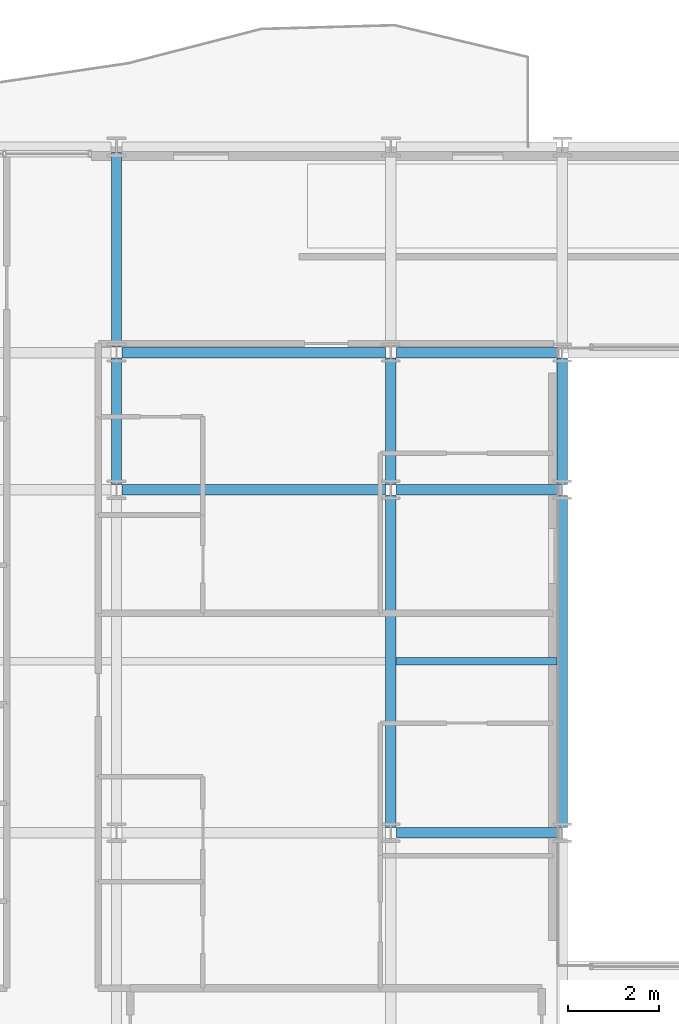
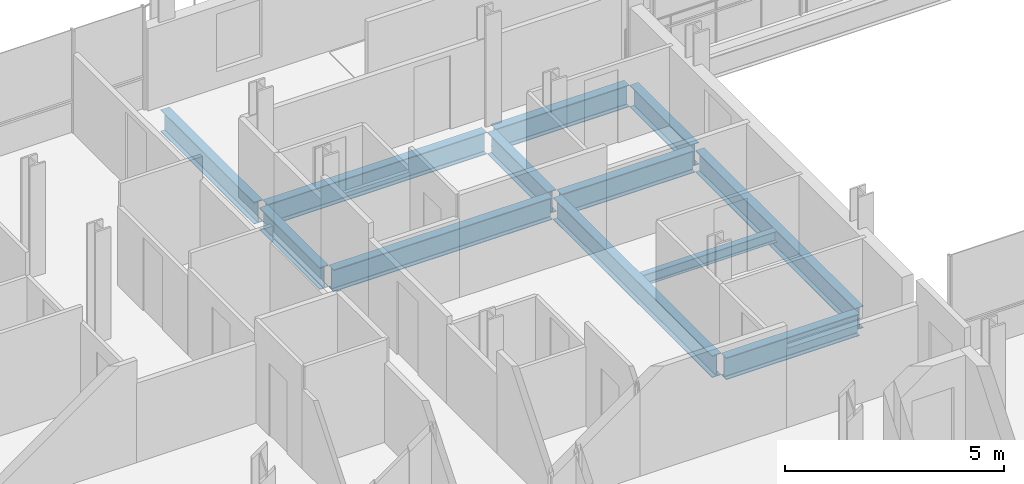
# One storey, part 8 of 40: 12 beams.
"""IFC4 building model written with IfcOpenShell, lengths in metres."""

from ifc_helpers import new_model, si_unit, direction, frame, origin, origin_2d, place, context, subcontext, project, spatial, i_section, extrude, material, material_profile, profile_set, type_object, element, save


model = new_model("IFC4")

# Units and contexts
model_context = context("Model", 3, precision=1e-05, world=origin(), true_north=direction((0.0, 1.0)))
body_context = subcontext(model_context, "Body", "Model", "MODEL_VIEW")
ifc_project = project(units=[si_unit("LENGTHUNIT", "METRE"), si_unit("AREAUNIT", "SQUARE_METRE"), si_unit("VOLUMEUNIT", "CUBIC_METRE"), si_unit("PLANEANGLEUNIT", "RADIAN"), si_unit("MASSUNIT", "GRAM", prefix="KILO")], contexts=[model_context])

# Site, building, storey
site_placement = place(None, origin())
site = spatial("IfcSite", under=ifc_project, at=site_placement, CompositionType="ELEMENT")
building_placement = place(site_placement, origin())
building = spatial("IfcBuilding", under=site, at=building_placement, Name="Brevholm Reach", CompositionType="ELEMENT")
storey_placement = place(building_placement, frame((0.0, 0.0, 131.39990234375)))
storey = spatial("IfcBuildingStorey", under=building, at=storey_placement, Name="L39", CompositionType="ELEMENT", Elevation=131.39990234375)

# Beams
ifc_material_1 = material(Name="Structural Steel S355J2", Category="steel")
ifc_material_profile_1 = material_profile(ifc_material_1, i_section(OverallWidth=0.1650390625, OverallDepth=0.303466796875, WebThickness=0.006103515625, FlangeThickness=0.01025390625, FilletRadius=0.0087890625, at=origin_2d()), Name="UKB 305x165x40")
ifc_profile_set_1 = profile_set([ifc_material_profile_1], Name="Structural Steel S355J2")
beam_type_1 = type_object("IfcBeamType", Name="BM-B305", PredefinedType="BEAM", material=ifc_profile_set_1)
beam_1_placement = place(storey_placement, frame((18.114501953125, 19.75, -0.37158203125), z_axis=(1.0, 0.0, 0.0), x_axis=(0.0, 1.0, 0.0)))
element("IfcBeam", 1, at=beam_1_placement, inside=storey, type_object=beam_type_1, Name="L39 Composite Secondary Floor Beam", PredefinedType="BEAM", context=body_context, shape_type="SweptSolid", body=[
    extrude(i_section(OverallWidth=0.1650390625, OverallDepth=0.303466796875, WebThickness=0.006103515625, FlangeThickness=0.01025390625, FilletRadius=0.0087890625, at=origin_2d()), origin(), (0.0, 0.0, 1.0), 3.52099609375),
])
ifc_material_2 = material(Name="Structural Steel S355J2", Category="steel")
ifc_material_profile_2 = material_profile(ifc_material_2, i_section(OverallWidth=0.22900390625, OverallDepth=0.6123046875, WebThickness=0.011962890625, FlangeThickness=0.01953125, FilletRadius=0.0126953125, at=origin_2d()), Name="UKB 610x229x125")
ifc_profile_set_2 = profile_set([ifc_material_profile_2], Name="Structural Steel S355J2")
beam_type_2 = type_object("IfcBeamType", Name="BM-SP610", PredefinedType="SPANDREL", material=ifc_profile_set_2)
beam_2_placement = place(storey_placement, frame((18.1201171875, 16.0, -0.526123046875), z_axis=(1.0, 0.0, 0.0), x_axis=(0.0, 1.0, 0.0)))
element("IfcBeam", 2, at=beam_2_placement, inside=storey, type_object=beam_type_2, Name="L39 SP-01 Framing Beam", PredefinedType="SPANDREL", context=body_context, shape_type="SweptSolid", body=[
    extrude(i_section(OverallWidth=0.22900390625, OverallDepth=0.6123046875, WebThickness=0.011962890625, FlangeThickness=0.01953125, FilletRadius=0.0126953125, at=origin_2d()), origin(), (0.0, 0.0, 1.0), 3.509765625),
])
beam_3_placement = place(storey_placement, frame((12.1201171875, 23.5, -0.526123046875), z_axis=(1.0, 0.0, 0.0), x_axis=(0.0, 1.0, 0.0)))
element("IfcBeam", 3, at=beam_3_placement, inside=storey, type_object=beam_type_2, Name="L39 SP-01 Framing Beam", PredefinedType="SPANDREL", context=body_context, shape_type="SweptSolid", body=[
    extrude(i_section(OverallWidth=0.22900390625, OverallDepth=0.6123046875, WebThickness=0.011962890625, FlangeThickness=0.01953125, FilletRadius=0.0126953125, at=origin_2d()), origin(), (0.0, 0.0, 1.0), 5.759765625),
])
beam_4_placement = place(storey_placement, frame((18.1201171875, 23.5, -0.526123046875), z_axis=(1.0, 0.0, 0.0), x_axis=(0.0, 1.0, 0.0)))
element("IfcBeam", 4, at=beam_4_placement, inside=storey, type_object=beam_type_2, Name="L39 SP-01 Framing Beam", PredefinedType="SPANDREL", context=body_context, shape_type="SweptSolid", body=[
    extrude(i_section(OverallWidth=0.22900390625, OverallDepth=0.6123046875, WebThickness=0.011962890625, FlangeThickness=0.01953125, FilletRadius=0.0126953125, at=origin_2d()), origin(), (0.0, 0.0, 1.0), 3.509765625),
])
beam_5_placement = place(storey_placement, frame((12.1201171875, 26.5, -0.526123046875), z_axis=(1.0, 0.0, 0.0), x_axis=(0.0, 1.0, 0.0)))
element("IfcBeam", 5, at=beam_5_placement, inside=storey, type_object=beam_type_2, Name="L39 SP-01 Framing Beam", PredefinedType="SPANDREL", context=body_context, shape_type="SweptSolid", body=[
    extrude(i_section(OverallWidth=0.22900390625, OverallDepth=0.6123046875, WebThickness=0.011962890625, FlangeThickness=0.01953125, FilletRadius=0.0126953125, at=origin_2d()), origin(), (0.0, 0.0, 1.0), 5.759765625),
])
beam_6_placement = place(storey_placement, frame((18.1201171875, 26.5, -0.526123046875), z_axis=(1.0, 0.0, 0.0), x_axis=(0.0, 1.0, 0.0)))
element("IfcBeam", 6, at=beam_6_placement, inside=storey, type_object=beam_type_2, Name="L39 SP-01 Framing Beam", PredefinedType="SPANDREL", context=body_context, shape_type="SweptSolid", body=[
    extrude(i_section(OverallWidth=0.22900390625, OverallDepth=0.6123046875, WebThickness=0.011962890625, FlangeThickness=0.01953125, FilletRadius=0.0126953125, at=origin_2d()), origin(), (0.0, 0.0, 1.0), 3.509765625),
])
beam_7_placement = place(storey_placement, frame((12.0, 23.6201171875, -0.526123046875), z_axis=(0.0, 1.0, 0.0), x_axis=(-1.0, 0.0, 0.0)))
element("IfcBeam", 7, at=beam_7_placement, inside=storey, type_object=beam_type_2, Name="L39 SP-01 Framing Beam", PredefinedType="SPANDREL", context=body_context, shape_type="SweptSolid", body=[
    extrude(i_section(OverallWidth=0.22900390625, OverallDepth=0.6123046875, WebThickness=0.011962890625, FlangeThickness=0.01953125, FilletRadius=0.0126953125, at=origin_2d()), origin(), (0.0, 0.0, 1.0), 2.759765625),
])
beam_8_placement = place(storey_placement, frame((12.0, 26.6201171875, -0.526123046875), z_axis=(0.0, 1.0, 0.0), x_axis=(-1.0, 0.0, 0.0)))
element("IfcBeam", 8, at=beam_8_placement, inside=storey, type_object=beam_type_2, Name="L39 SP-01 Framing Beam", PredefinedType="SPANDREL", context=body_context, shape_type="SweptSolid", body=[
    extrude(i_section(OverallWidth=0.22900390625, OverallDepth=0.6123046875, WebThickness=0.011962890625, FlangeThickness=0.01953125, FilletRadius=0.0126953125, at=origin_2d()), origin(), (0.0, 0.0, 1.0), 4.259765625),
])
beam_9_placement = place(storey_placement, frame((18.0, 16.1201171875, -0.526123046875), z_axis=(0.0, 1.0, 0.0), x_axis=(-1.0, 0.0, 0.0)))
element("IfcBeam", 9, at=beam_9_placement, inside=storey, type_object=beam_type_2, Name="L39 SP-01 Framing Beam", PredefinedType="SPANDREL", context=body_context, shape_type="SweptSolid", body=[
    extrude(i_section(OverallWidth=0.22900390625, OverallDepth=0.6123046875, WebThickness=0.011962890625, FlangeThickness=0.01953125, FilletRadius=0.0126953125, at=origin_2d()), origin(), (0.0, 0.0, 1.0), 7.259765625),
])
beam_10_placement = place(storey_placement, frame((18.0, 23.6201171875, -0.526123046875), z_axis=(0.0, 1.0, 0.0), x_axis=(-1.0, 0.0, 0.0)))
element("IfcBeam", 10, at=beam_10_placement, inside=storey, type_object=beam_type_2, Name="L39 SP-01 Framing Beam", PredefinedType="SPANDREL", context=body_context, shape_type="SweptSolid", body=[
    extrude(i_section(OverallWidth=0.22900390625, OverallDepth=0.6123046875, WebThickness=0.011962890625, FlangeThickness=0.01953125, FilletRadius=0.0126953125, at=origin_2d()), origin(), (0.0, 0.0, 1.0), 2.759765625),
])
beam_11_placement = place(storey_placement, frame((21.75, 16.1201171875, -0.526123046875), z_axis=(0.0, 1.0, 0.0), x_axis=(-1.0, 0.0, 0.0)))
element("IfcBeam", 11, at=beam_11_placement, inside=storey, type_object=beam_type_2, Name="L39 SP-01 Framing Beam", PredefinedType="SPANDREL", context=body_context, shape_type="SweptSolid", body=[
    extrude(i_section(OverallWidth=0.22900390625, OverallDepth=0.6123046875, WebThickness=0.011962890625, FlangeThickness=0.01953125, FilletRadius=0.0126953125, at=origin_2d()), origin(), (0.0, 0.0, 1.0), 7.259765625),
])
beam_12_placement = place(storey_placement, frame((21.75, 23.6201171875, -0.526123046875), z_axis=(0.0, 1.0, 0.0), x_axis=(-1.0, 0.0, 0.0)))
element("IfcBeam", 12, at=beam_12_placement, inside=storey, type_object=beam_type_2, Name="L39 SP-01 Framing Beam", PredefinedType="SPANDREL", context=body_context, shape_type="SweptSolid", body=[
    extrude(i_section(OverallWidth=0.22900390625, OverallDepth=0.6123046875, WebThickness=0.011962890625, FlangeThickness=0.01953125, FilletRadius=0.0126953125, at=origin_2d()), origin(), (0.0, 0.0, 1.0), 2.759765625),
])

save(model, "model.ifc")
